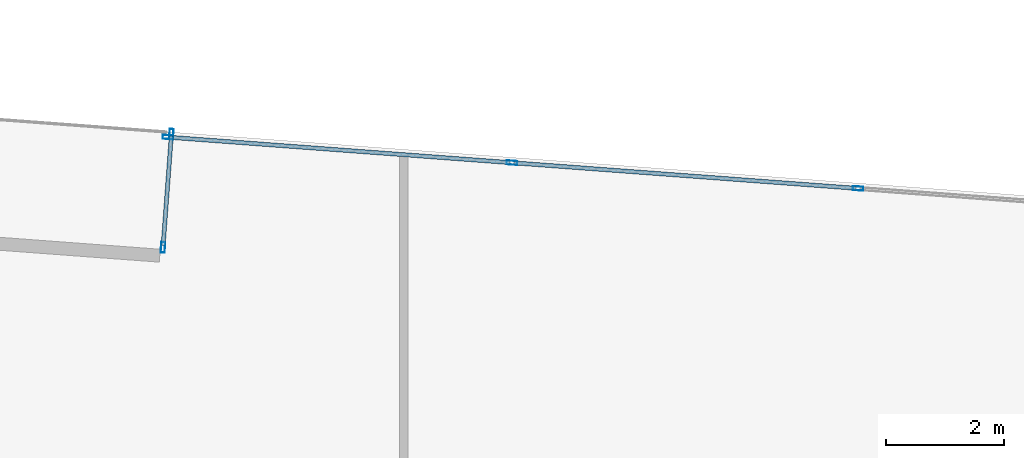
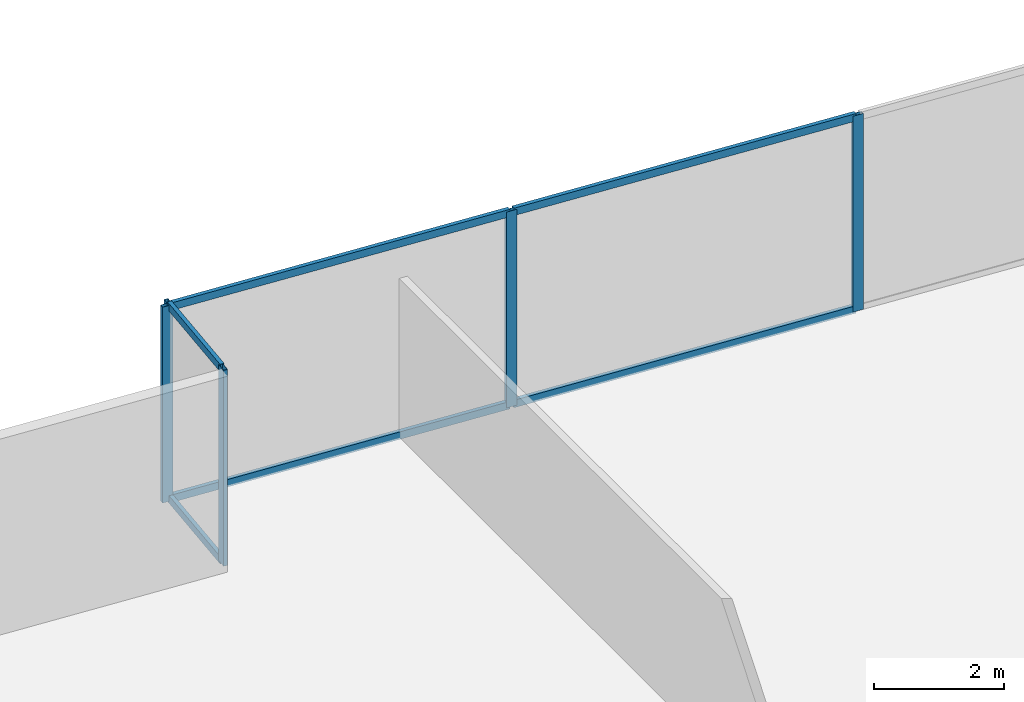
# One storey, part 23 of 30: 11 members, 2 elements without a shape of their own.
"""IFC4 building model written with IfcOpenShell, lengths in metres."""

from ifc_helpers import new_model, si_unit, direction, frame, origin, origin_2d, place, context, subcontext, project, spatial, hollow_rectangle, extrude, source, transform, mapped, material, material_profile, profile_set, type_object, type_shapes, element, aggregate, save


model = new_model("IFC4")

# Units and contexts
model_context = context("Model", 3, precision=1e-05, world=origin(), true_north=direction((0.0, 1.0)))
body_context = subcontext(model_context, "Body", "Model", "MODEL_VIEW")
ifc_project = project(units=[si_unit("LENGTHUNIT", "METRE"), si_unit("AREAUNIT", "SQUARE_METRE"), si_unit("VOLUMEUNIT", "CUBIC_METRE"), si_unit("PLANEANGLEUNIT", "RADIAN"), si_unit("MASSUNIT", "GRAM", prefix="KILO")], contexts=[model_context])

# Site, building, storey
site_placement = place(None, origin())
site = spatial("IfcSite", under=ifc_project, at=site_placement, CompositionType="ELEMENT")
building_placement = place(site_placement, origin())
building = spatial("IfcBuilding", under=site, at=building_placement, Name="Krantzveldt Concourse Tower", CompositionType="ELEMENT")
storey_placement = place(building_placement, frame((0.0, 0.0, 52.64990234375)))
storey = spatial("IfcBuildingStorey", under=building, at=storey_placement, Name="L12", CompositionType="ELEMENT", Elevation=52.64990234375)

# Curtain wall, members
ifc_material = material(Name="Anodised aluminium 6063-T6", Category="aluminium")
curtain_wall_type_1 = type_object("IfcCurtainWallType", Name="CW2", PredefinedType="USERDEFINED", material=ifc_material)
curtain_wall_1_placement = place(storey_placement, origin())
curtain_wall_1 = element("IfcCurtainWall", 1, at=curtain_wall_1_placement, inside=storey, type_object=curtain_wall_type_1, Name="CW-L12-F10", ObjectType="UNITISED CURTAIN WALL", PredefinedType="USERDEFINED")
ifc_material_profile_1 = material_profile(ifc_material, hollow_rectangle(XDim=0.070068359375, YDim=0.179931640625, WallThickness=0.0048828125, at=origin_2d()), Name="Anodised aluminium 6063-T6", Category="aluminium")
ifc_profile_set_1 = profile_set([ifc_material_profile_1], Name="Anodised aluminium 6063-T6 - ALU-MULL 180x70x5")
member_type_1 = type_object("IfcMemberType", Name="CW-MUL-180", PredefinedType="MULLION", material=ifc_profile_set_1)
shared_shape_1 = source(origin(), body_context, "Body", "SweptSolid", [
    extrude(hollow_rectangle(XDim=0.070068359375, YDim=0.179931640625, WallThickness=0.0048828125, at=origin_2d()), origin(), (0.0, 0.0, 1.0), 3.670166015625),
])
type_shapes(member_type_1, [shared_shape_1])
member_1_placement = place(storey_placement, frame((53.403076171875, 50.385498046875, 0.0), z_axis=(0.0, 0.0, 1.0), x_axis=(-0.074108467464, -0.997250186789, 0.0)))
member_1 = element("IfcMember", 2, at=member_1_placement, type_object=member_type_1, Name="CW-Z12 mullion 2", PredefinedType="MULLION", context=body_context, shape_type="MappedRepresentation", body=[
    mapped(shared_shape_1, transform((0.0, 0.0, 0.0), x_axis=(1.0, 0.0, 0.0), y_axis=(0.0, 1.0, 0.0), z_axis=(0.0, 0.0, 1.0), scale=1.0)),
])
member_2_placement = place(storey_placement, frame((47.519287109375, 50.82275390625, 0.0), z_axis=(0.0, 0.0, 1.0), x_axis=(-0.074108467464, -0.997250186789, 0.0)))
member_2 = element("IfcMember", 3, at=member_2_placement, type_object=member_type_1, Name="CW-Z12 mullion 3", PredefinedType="MULLION", context=body_context, shape_type="MappedRepresentation", body=[
    mapped(shared_shape_1, transform((0.0, 0.0, 0.0), x_axis=(1.0, 0.0, 0.0), y_axis=(0.0, 1.0, 0.0), z_axis=(0.0, 0.0, 1.0), scale=1.0)),
])
member_3_placement = place(storey_placement, frame((41.67041015625, 51.25732421875, 0.0), z_axis=(0.0, 0.0, 1.0), x_axis=(-0.074108467464, -0.997250186789, 0.0)))
member_3 = element("IfcMember", 4, at=member_3_placement, type_object=member_type_1, Name="CW-Z12 mullion 4", PredefinedType="MULLION", context=body_context, shape_type="MappedRepresentation", body=[
    mapped(shared_shape_1, transform((0.0, 0.0, 0.0), x_axis=(1.0, 0.0, 0.0), y_axis=(0.0, 1.0, 0.0), z_axis=(0.0, 0.0, 1.0), scale=1.0)),
])

curtain_wall_type_2 = type_object("IfcCurtainWallType", Name="CW6", PredefinedType="USERDEFINED", material=ifc_material)
curtain_wall_2_placement = place(storey_placement, origin())
curtain_wall_2 = element("IfcCurtainWall", 5, at=curtain_wall_2_placement, inside=storey, type_object=curtain_wall_type_2, Name="CW-L12-TR11", ObjectType="UNITISED CURTAIN WALL", PredefinedType="USERDEFINED")
member_4_placement = place(storey_placement, frame((41.7294921875, 51.30810546875, 0.0), z_axis=(0.0, 0.0, 1.0), x_axis=(0.997250442019, -0.074105032841, 0.0)))
member_4 = element("IfcMember", 6, at=member_4_placement, type_object=member_type_1, Name="CW-TERR mullion 1", PredefinedType="MULLION", context=body_context, shape_type="MappedRepresentation", body=[
    mapped(shared_shape_1, transform((0.0, 0.0, 0.0), x_axis=(1.0, 0.0, 0.0), y_axis=(0.0, 1.0, 0.0), z_axis=(0.0, 0.0, 1.0), scale=1.0)),
])
member_5_placement = place(storey_placement, frame((41.58642578125, 49.38330078125, 0.0), z_axis=(0.0, 0.0, 1.0), x_axis=(0.997250442019, -0.074105032841, 0.0)))
member_5 = element("IfcMember", 7, at=member_5_placement, type_object=member_type_1, Name="CW-TERR mullion 2", PredefinedType="MULLION", context=body_context, shape_type="MappedRepresentation", body=[
    mapped(shared_shape_1, transform((0.0, 0.0, 0.0), x_axis=(1.0, 0.0, 0.0), y_axis=(0.0, 1.0, 0.0), z_axis=(0.0, 0.0, 1.0), scale=1.0)),
])

# Member
ifc_material_profile_2 = material_profile(ifc_material, hollow_rectangle(XDim=0.070068359375, YDim=0.139892578125, WallThickness=0.0048828125, at=origin_2d()), Name="Anodised aluminium 6063-T6", Category="aluminium")
ifc_profile_set_2 = profile_set([ifc_material_profile_2], Name="Anodised aluminium 6063-T6 - ALU-TRAN 140x70x5")
member_type_2 = type_object("IfcMemberType", Name="CW-TRN-150", PredefinedType="USERDEFINED", material=ifc_profile_set_2)
shared_shape_2 = source(origin(), body_context, "Body", "SweptSolid", [
    extrude(hollow_rectangle(XDim=0.070068359375, YDim=0.139892578125, WallThickness=0.0048828125, at=origin_2d()), origin(), (0.0, 0.0, 1.0), 5.794921875),
])
member_6_placement = place(storey_placement, frame((47.484375, 50.8251953125, 0.03515625), z_axis=(-0.997250369291, 0.074106011558, 0.0), x_axis=(-0.074106011558, -0.997250369291, 0.0)))
member_6 = element("IfcMember", 8, at=member_6_placement, type_object=member_type_2, Name="CW-Z12 transom 3.1", ObjectType="TRANSOM", PredefinedType="USERDEFINED", context=body_context, shape_type="MappedRepresentation", body=[
    mapped(shared_shape_2, transform((0.0, 0.0, 0.0), x_axis=(1.0, 0.0, 0.0), y_axis=(0.0, 1.0, 0.0), z_axis=(0.0, 0.0, 1.0), scale=1.0)),
])

member_7_placement = place(storey_placement, frame((47.484375, 50.8251953125, 3.635009765625), z_axis=(-0.997250369291, 0.074106011558, 0.0), x_axis=(-0.074106011558, -0.997250369291, 0.0)))
member_7 = element("IfcMember", 9, at=member_7_placement, type_object=member_type_2, Name="CW-Z12 transom 3.2", ObjectType="TRANSOM", PredefinedType="USERDEFINED", context=body_context, shape_type="MappedRepresentation", body=[
    mapped(shared_shape_2, transform((0.0, 0.0, 0.0), x_axis=(1.0, 0.0, 0.0), y_axis=(0.0, 1.0, 0.0), z_axis=(0.0, 0.0, 1.0), scale=1.0)),
])

shared_shape_3 = source(origin(), body_context, "Body", "SweptSolid", [
    extrude(hollow_rectangle(XDim=0.070068359375, YDim=0.139892578125, WallThickness=0.0048828125, at=origin_2d()), origin(), (0.0, 0.0, 1.0), 5.830078125),
])
member_8_placement = place(storey_placement, frame((53.3681640625, 50.387939453125, 0.03515625), z_axis=(-0.997249212895, 0.074121571631, 0.0), x_axis=(-0.074121571631, -0.997249212895, 0.0)))
member_8 = element("IfcMember", 10, at=member_8_placement, type_object=member_type_2, Name="CW-Z12 transom 2.1", ObjectType="TRANSOM", PredefinedType="USERDEFINED", context=body_context, shape_type="MappedRepresentation", body=[
    mapped(shared_shape_3, transform((0.0, 0.0, 0.0), x_axis=(1.0, 0.0, 0.0), y_axis=(0.0, 1.0, 0.0), z_axis=(0.0, 0.0, 1.0), scale=1.0)),
])

member_9_placement = place(storey_placement, frame((53.3681640625, 50.387939453125, 3.635009765625), z_axis=(-0.997249212895, 0.074121571631, 0.0), x_axis=(-0.074121571631, -0.997249212895, 0.0)))
member_9 = element("IfcMember", 11, at=member_9_placement, type_object=member_type_2, Name="CW-Z12 transom 2.2", ObjectType="TRANSOM", PredefinedType="USERDEFINED", context=body_context, shape_type="MappedRepresentation", body=[
    mapped(shared_shape_3, transform((0.0, 0.0, 0.0), x_axis=(1.0, 0.0, 0.0), y_axis=(0.0, 1.0, 0.0), z_axis=(0.0, 0.0, 1.0), scale=1.0)),
])

aggregate(curtain_wall_1, [member_1, member_2, member_3, member_8, member_9, member_6, member_7])

shared_shape_4 = source(origin(), body_context, "Body", "SweptSolid", [
    extrude(hollow_rectangle(XDim=0.070068359375, YDim=0.139892578125, WallThickness=0.0048828125, at=origin_2d()), origin(), (0.0, 0.0, 1.0), 1.860107421875),
])
type_shapes(member_type_2, [shared_shape_2, shared_shape_3, shared_shape_4])
member_10_placement = place(storey_placement, frame((41.726806640625, 51.273193359375, 0.03515625), z_axis=(-0.074156925542, -0.997246584549, 0.0), x_axis=(0.997246584549, -0.074156925542, 0.0)))
member_10 = element("IfcMember", 12, at=member_10_placement, type_object=member_type_2, Name="CW-TERR transom 1.1", ObjectType="TRANSOM", PredefinedType="USERDEFINED", context=body_context, shape_type="MappedRepresentation", body=[
    mapped(shared_shape_4, transform((0.0, 0.0, 0.0), x_axis=(1.0, 0.0, 0.0), y_axis=(0.0, 1.0, 0.0), z_axis=(0.0, 0.0, 1.0), scale=1.0)),
])

member_11_placement = place(storey_placement, frame((41.726806640625, 51.273193359375, 3.635009765625), z_axis=(-0.074156925542, -0.997246584549, 0.0), x_axis=(0.997246584549, -0.074156925542, 0.0)))
member_11 = element("IfcMember", 13, at=member_11_placement, type_object=member_type_2, Name="CW-TERR transom 1.2", ObjectType="TRANSOM", PredefinedType="USERDEFINED", context=body_context, shape_type="MappedRepresentation", body=[
    mapped(shared_shape_4, transform((0.0, 0.0, 0.0), x_axis=(1.0, 0.0, 0.0), y_axis=(0.0, 1.0, 0.0), z_axis=(0.0, 0.0, 1.0), scale=1.0)),
])

aggregate(curtain_wall_2, [member_4, member_5, member_10, member_11])

save(model, "model.ifc")
